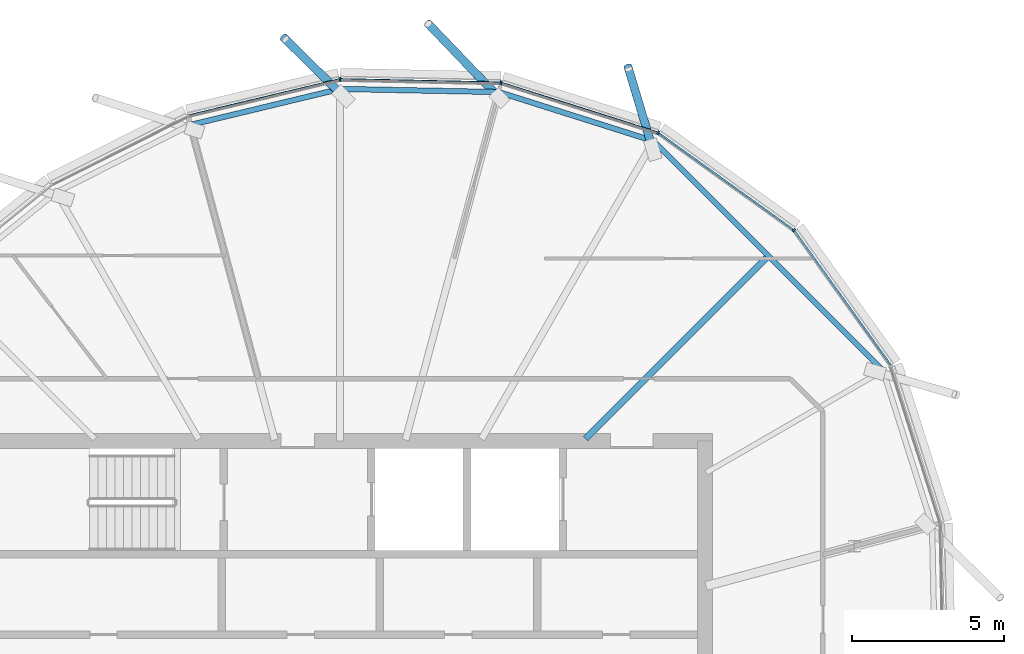
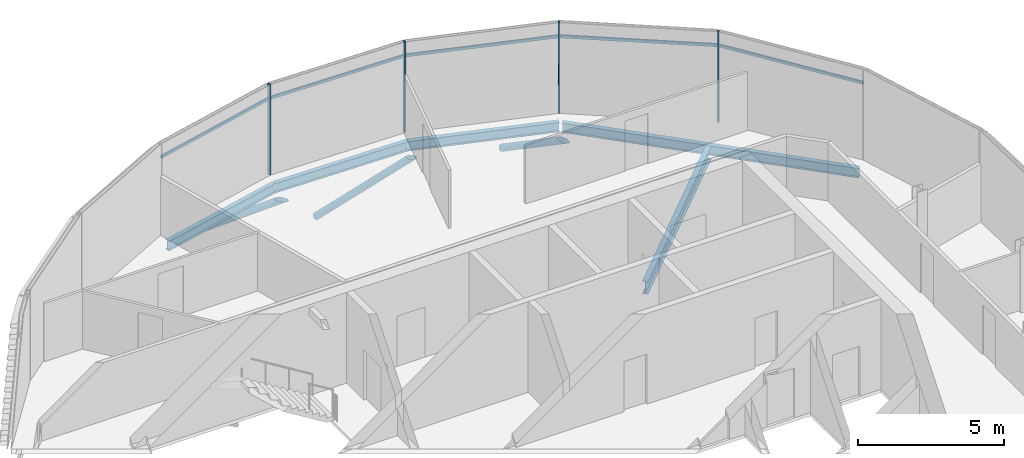
# One storey, part 14 of 38: 12 members, 5 beams, 1 element without a shape of its own.
"""IFC4 building model written with IfcOpenShell, lengths in metres."""

from ifc_helpers import new_model, si_unit, direction, frame, origin, origin_2d, place, context, subcontext, project, spatial, rectangle, hollow_circle, i_section, extrude, clip, halfspace, material, material_profile, profile_set, type_object, element, aggregate, save


model = new_model("IFC4")

# Units and contexts
model_context = context("Model", 3, precision=1e-05, world=origin(), true_north=direction((0.0, 1.0)))
body_context = subcontext(model_context, "Body", "Model", "MODEL_VIEW")
ifc_project = project(units=[si_unit("LENGTHUNIT", "METRE"), si_unit("AREAUNIT", "SQUARE_METRE"), si_unit("VOLUMEUNIT", "CUBIC_METRE"), si_unit("PLANEANGLEUNIT", "RADIAN"), si_unit("MASSUNIT", "GRAM", prefix="KILO")], contexts=[model_context])

# Site, building, storey
site_placement = place(None, origin())
site = spatial("IfcSite", under=ifc_project, at=site_placement, CompositionType="ELEMENT")
building_placement = place(site_placement, origin())
building = spatial("IfcBuilding", under=site, at=building_placement, Name="Rimbun Link Towers", CompositionType="ELEMENT")
storey_placement = place(building_placement, frame((0.0, 0.0, 218.10009765625)))
storey = spatial("IfcBuildingStorey", under=building, at=storey_placement, Name="L53", CompositionType="ELEMENT", Elevation=218.10009765625)

# Curtain wall, members
ifc_material_1 = material(Name="Aluminium 6063-T6 and low-iron glass", Category="aluminium")
curtain_wall_type = type_object("IfcCurtainWallType", Name="CW1-Z4 unitised vision wall (zone 4)", PredefinedType="NOTDEFINED", material=ifc_material_1)
curtain_wall_placement = place(storey_placement, origin())
curtain_wall = element("IfcCurtainWall", 1, at=curtain_wall_placement, inside=storey, type_object=curtain_wall_type, Name="CW1 L53 T2", PredefinedType="NOTDEFINED")
ifc_material_2 = material(Name="Aluminium 6063-T6", Category="aluminium")
ifc_material_profile_1 = material_profile(ifc_material_2, rectangle(XDim=0.1201171875, YDim=0.06005859375, at=origin_2d()), Name="MULLION 60X120")
ifc_profile_set_1 = profile_set([ifc_material_profile_1], Name="Aluminium 6063-T6")
member_type_1 = type_object("IfcMemberType", Name="CW1 mullion 60X120", PredefinedType="MULLION", material=ifc_profile_set_1)
member_1_placement = place(storey_placement, frame((42.218505859375, 18.138916015625, 0.0), z_axis=(0.0, 0.0, 1.0), x_axis=(0.448570660563, 0.893747370615, 0.0)))
member_1 = element("IfcMember", 2, at=member_1_placement, type_object=member_type_1, Name="CW1 mullion", PredefinedType="MULLION", context=body_context, shape_type="SweptSolid", body=[
    extrude(rectangle(XDim=0.1201171875, YDim=0.06005859375, at=origin_2d()), origin(), (0.0, 0.0, 1.0), 3.7998046875),
])
member_2_placement = place(storey_placement, frame((46.684326171875, 14.934326171875, 0.0), z_axis=(0.0, 0.0, 1.0), x_axis=(0.707106781187, 0.707106781187, 0.0)))
member_2 = element("IfcMember", 3, at=member_2_placement, type_object=member_type_1, Name="CW1 mullion", PredefinedType="MULLION", context=body_context, shape_type="SweptSolid", body=[
    extrude(rectangle(XDim=0.1201171875, YDim=0.06005859375, at=origin_2d()), origin(), (0.0, 0.0, 1.0), 3.7998046875),
])
member_3_placement = place(storey_placement, frame((37.045166015625, 19.7841796875, 0.0), z_axis=(0.0, 0.0, 1.0), x_axis=(0.163742123322, 0.986503176401, 0.0)))
member_3 = element("IfcMember", 4, at=member_3_placement, type_object=member_type_1, Name="CW1 mullion", PredefinedType="MULLION", context=body_context, shape_type="SweptSolid", body=[
    extrude(rectangle(XDim=0.1201171875, YDim=0.06005859375, at=origin_2d()), origin(), (0.0, 0.0, 1.0), 3.7998046875),
])
member_4_placement = place(storey_placement, frame((31.74365234375, 19.89599609375, 0.0), z_axis=(0.0, 0.0, 1.0), x_axis=(-0.106644059234, 0.994297261703, 0.0)))
member_4 = element("IfcMember", 5, at=member_4_placement, type_object=member_type_1, Name="CW1 mullion", PredefinedType="MULLION", context=body_context, shape_type="SweptSolid", body=[
    extrude(rectangle(XDim=0.1201171875, YDim=0.06005859375, at=origin_2d()), origin(), (0.0, 0.0, 1.0), 3.7998046875),
])
ifc_material_3 = material(Name="Aluminium 6063-T6", Category="aluminium")
ifc_material_profile_2 = material_profile(ifc_material_3, rectangle(XDim=0.06005859375, YDim=0.1201171875, at=origin_2d()), Name="TRANSOM 60X120")
ifc_profile_set_2 = profile_set([ifc_material_profile_2], Name="Aluminium 6063-T6")
member_type_2 = type_object("IfcMemberType", Name="CW1 transom 60X120", PredefinedType="USERDEFINED", material=ifc_profile_set_2)
member_5_placement = place(storey_placement, frame((42.249755859375, 18.11474609375, 3.199951171875), z_axis=(0.812455646662, -0.583023003154, 0.0), x_axis=(0.583023003154, 0.812455646662, 0.0)))
member_5 = element("IfcMember", 6, at=member_5_placement, type_object=member_type_2, Name="CW1 transom", ObjectType="TRANSOM", PredefinedType="USERDEFINED", context=body_context, shape_type="SweptSolid", body=[
    extrude(rectangle(XDim=0.06005859375, YDim=0.1201171875, at=origin_2d()), origin(), (0.0, 0.0, 1.0), 5.41748046875),
])
member_6_placement = place(storey_placement, frame((37.08154296875, 19.771240234375, 3.199951171875), z_axis=(0.952968318044, -0.30306993385, 0.0), x_axis=(0.30306993385, 0.952968318044, 0.0)))
member_6 = element("IfcMember", 7, at=member_6_placement, type_object=member_type_2, Name="CW1 transom", ObjectType="TRANSOM", PredefinedType="USERDEFINED", context=body_context, shape_type="SweptSolid", body=[
    extrude(rectangle(XDim=0.06005859375, YDim=0.1201171875, at=origin_2d()), origin(), (0.0, 0.0, 1.0), 5.3505859375),
])
member_7_placement = place(storey_placement, frame((31.78125, 19.8935546875, 3.199951171875), z_axis=(0.999779046049, -0.021020444364, 0.0), x_axis=(0.021020444364, 0.999779046049, 0.0)))
member_7 = element("IfcMember", 8, at=member_7_placement, type_object=member_type_2, Name="CW1 transom", ObjectType="TRANSOM", PredefinedType="USERDEFINED", context=body_context, shape_type="SweptSolid", body=[
    extrude(rectangle(XDim=0.06005859375, YDim=0.1201171875, at=origin_2d()), origin(), (0.0, 0.0, 1.0), 5.2265625),
])
member_8_placement = place(storey_placement, frame((26.770751953125, 18.705078125, 3.199951171875), z_axis=(0.972570376308, 0.232608819972, 0.0), x_axis=(-0.232608819972, 0.972570376308, 0.0)))
member_8 = element("IfcMember", 9, at=member_8_placement, type_object=member_type_2, Name="CW1 transom", ObjectType="TRANSOM", PredefinedType="USERDEFINED", context=body_context, shape_type="SweptSolid", body=[
    extrude(rectangle(XDim=0.06005859375, YDim=0.1201171875, at=origin_2d()), origin(), (0.0, 0.0, 1.0), 5.07568359375),
])
member_9_placement = place(storey_placement, frame((46.706298828125, 14.901123046875, 3.199951171875), z_axis=(0.583023003154, -0.812455646662, 0.0), x_axis=(0.812455646662, 0.583023003154, 0.0)))
member_9 = element("IfcMember", 10, at=member_9_placement, type_object=member_type_2, Name="CW1 transom", ObjectType="TRANSOM", PredefinedType="USERDEFINED", context=body_context, shape_type="SweptSolid", body=[
    extrude(rectangle(XDim=0.06005859375, YDim=0.1201171875, at=origin_2d()), origin(), (0.0, 0.0, 1.0), 5.41748046875),
])
aggregate(curtain_wall, [member_1, member_2, member_3, member_4, member_5, member_6, member_7, member_8, member_9])

# Members
ifc_material_4 = material(Name="Steel S355J2H", Category="steel")
ifc_material_profile_3 = material_profile(ifc_material_4, hollow_circle(Radius=0.136474609375, WallThickness=0.012451171875, at=origin_2d()), Name="CHS 273x12.5")
ifc_profile_set_3 = profile_set([ifc_material_profile_3], Name="Steel S355J2H")
member_type_3 = type_object("IfcMemberType", Name="Floor edge link CHS 273x12.5", PredefinedType="BRACE", material=ifc_profile_set_3)
member_10_placement = place(storey_placement, frame((41.992431640625, 17.740478515625, -0.860107421875), z_axis=(-0.247226133886, 0.824501878409, -0.508994981531), x_axis=(-0.957866062172, -0.28721526237, 0.0)))
element("IfcMember", 11, at=member_10_placement, inside=storey, type_object=member_type_3, Name="Floor edge link T2 L53 01", PredefinedType="BRACE", context=body_context, shape_type="Clipping", body=[
    clip(extrude(hollow_circle(Radius=0.136474609375, WallThickness=0.012451171875, at=origin_2d()), frame((0.0, 0.0, -0.481201171875)), (0.0, 0.0, 1.0), 3.62060546875), halfspace(frame((0.0, 0.0, -0.226806640625), z_axis=(0.0, 0.860769486434, -0.508994981531)), False)),
])
member_11_placement = place(storey_placement, frame((36.932373046875, 19.3408203125, -0.84375), z_axis=(-0.509221183003, 0.531299911189, -0.677062915209), x_axis=(-0.721948311998, -0.691946988434, 0.0)))
element("IfcMember", 12, at=member_11_placement, inside=storey, type_object=member_type_3, Name="Floor edge link T2 L53 02", PredefinedType="BRACE", context=body_context, shape_type="Clipping", body=[
    clip(extrude(hollow_circle(Radius=0.136474609375, WallThickness=0.012451171875, at=origin_2d()), frame((0.0, 0.0, -0.3115234375)), (0.0, 0.0, 1.0), 4.81201171875), halfspace(frame((0.0, 0.0, -0.146240234375), z_axis=(0.0, 0.735925138074, -0.677062915209)), False)),
])
member_12_placement = place(storey_placement, frame((31.75, 19.438720703125, -0.859130859375), z_axis=(-0.607703921712, 0.600303572789, -0.519934192021), x_axis=(-0.702761802637, -0.711425223586, 0.0)))
element("IfcMember", 13, at=member_12_placement, inside=storey, type_object=member_type_3, Name="Floor edge link T2 L53 03", PredefinedType="BRACE", context=body_context, shape_type="Clipping", body=[
    clip(extrude(hollow_circle(Radius=0.136474609375, WallThickness=0.012451171875, at=origin_2d()), frame((0.0, 0.0, -0.4677734375)), (0.0, 0.0, 1.0), 3.535888671875), halfspace(frame((0.0, 0.0, -0.219970703125), z_axis=(0.0, 0.854206319321, -0.519934192021)), False)),
])

# Beams
ifc_material_5 = material(Name="Steel S355J2", Category="steel")
ifc_material_profile_4 = material_profile(ifc_material_5, i_section(OverallWidth=0.177978515625, OverallDepth=0.406494140625, WebThickness=0.0078125, FlangeThickness=0.0126953125, at=origin_2d()), Name="UB 406x178x60")
ifc_profile_set_4 = profile_set([ifc_material_profile_4], Name="Steel S355J2")
beam_type_1 = type_object("IfcBeamType", Name="UB 406x178x60", PredefinedType="BEAM", material=ifc_profile_set_4)
beam_1_placement = place(storey_placement, frame((42.0625, 17.864013671875, -0.34326171875), z_axis=(-0.953379576724, 0.301773727625, 0.0), x_axis=(-0.301773727625, -0.953379576724, 0.0)))
element("IfcBeam", 14, at=beam_1_placement, inside=storey, type_object=beam_type_1, Name="Edge beam T2 L53 01", PredefinedType="BEAM", context=body_context, shape_type="SweptSolid", body=[
    extrude(i_section(OverallWidth=0.177978515625, OverallDepth=0.406494140625, WebThickness=0.0078125, FlangeThickness=0.0126953125, at=origin_2d()), origin(), (0.0, 0.0, 1.0), 5.3291015625),
])
beam_2_placement = place(storey_placement, frame((36.954833984375, 19.4765625, -0.34326171875), z_axis=(-0.999805065693, 0.019744128625, 0.0), x_axis=(-0.019744128625, -0.999805065693, 0.0)))
element("IfcBeam", 15, at=beam_2_placement, inside=storey, type_object=beam_type_1, Name="Edge beam T2 L53 02", PredefinedType="BEAM", context=body_context, shape_type="SweptSolid", body=[
    extrude(i_section(OverallWidth=0.177978515625, OverallDepth=0.406494140625, WebThickness=0.0078125, FlangeThickness=0.0126953125, at=origin_2d()), origin(), (0.0, 0.0, 1.0), 5.193359375),
])
beam_3_placement = place(storey_placement, frame((31.73779296875, 19.576416015625, -0.34326171875), z_axis=(-0.972327534298, -0.233621844112, 0.0), x_axis=(0.233621844112, -0.972327534298, 0.0)))
element("IfcBeam", 16, at=beam_3_placement, inside=storey, type_object=beam_type_1, Name="Edge beam T2 L53 03", PredefinedType="BEAM", context=body_context, shape_type="SweptSolid", body=[
    extrude(i_section(OverallWidth=0.177978515625, OverallDepth=0.406494140625, WebThickness=0.0078125, FlangeThickness=0.0126953125, at=origin_2d()), origin(), (0.0, 0.0, 1.0), 5.04541015625),
])
beam_4_placement = place(storey_placement, frame((49.61279296875, 10.314208984375, -0.34326171875), z_axis=(-0.707106781187, 0.707106781187, 0.0), x_axis=(-0.707106781187, -0.707106781187, 0.0)))
element("IfcBeam", 17, at=beam_4_placement, inside=storey, type_object=beam_type_1, Name="Edge beam T2 L53 23-01", PredefinedType="BEAM", context=body_context, shape_type="SweptSolid", body=[
    extrude(i_section(OverallWidth=0.177978515625, OverallDepth=0.406494140625, WebThickness=0.0078125, FlangeThickness=0.0126953125, at=origin_2d()), origin(), (0.0, 0.0, 1.0), 10.5576171875),
])
ifc_material_6 = material(Name="Steel S355J2", Category="steel")
ifc_material_profile_5 = material_profile(ifc_material_6, i_section(OverallWidth=0.209228515625, OverallDepth=0.533203125, WebThickness=0.010009765625, FlangeThickness=0.015625, at=origin_2d()), Name="UB 533x210x92")
ifc_profile_set_5 = profile_set([ifc_material_profile_5], Name="Steel S355J2")
beam_type_2 = type_object("IfcBeamType", Name="UB 533x210x92", PredefinedType="BEAM", material=ifc_profile_set_5)
beam_5_placement = place(storey_placement, frame((39.82470703125, 8.07470703125, -0.406494140625), z_axis=(0.707106781187, 0.707106781187, 0.0), x_axis=(-0.707106781187, 0.707106781187, 0.0)))
element("IfcBeam", 18, at=beam_5_placement, inside=storey, type_object=beam_type_2, Name="Radial beam T2 L53 00", PredefinedType="BEAM", context=body_context, shape_type="SweptSolid", body=[
    extrude(i_section(OverallWidth=0.209228515625, OverallDepth=0.533203125, WebThickness=0.010009765625, FlangeThickness=0.015625, at=origin_2d()), origin(), (0.0, 0.0, 1.0), 8.414794921875),
])

save(model, "model.ifc")
